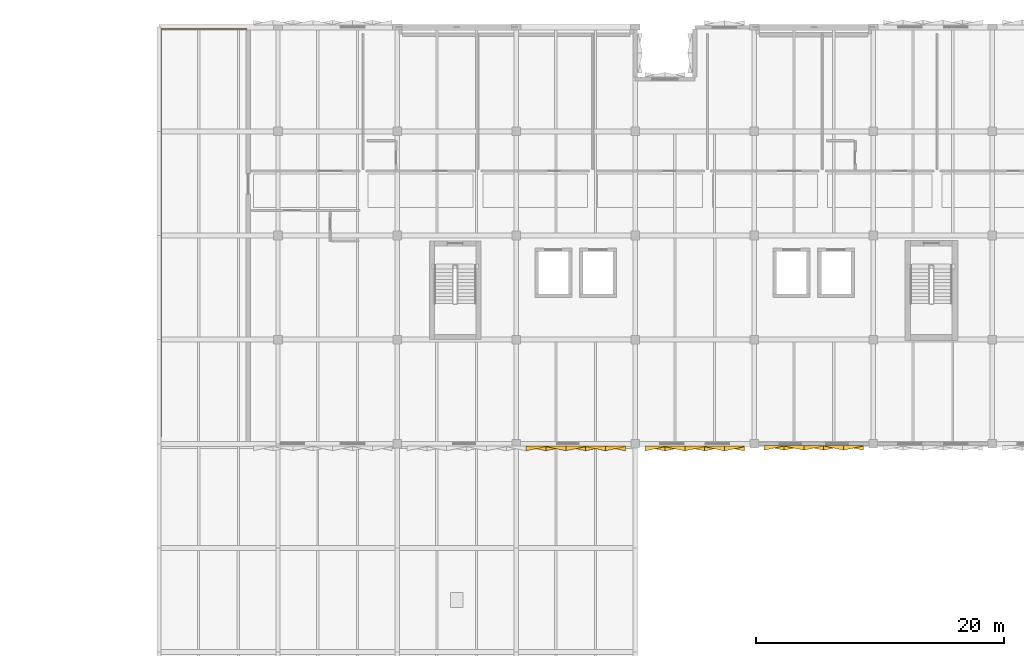
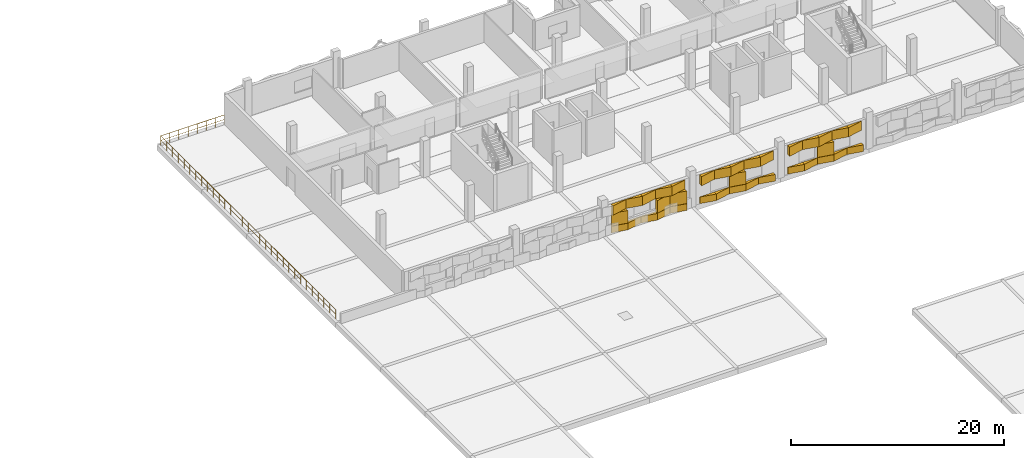
# One storey, part 21 of 24: 35 coverings, 1 railing.
"""IFC4 building model written with IfcOpenShell, lengths in metres."""

from ifc_helpers import new_model, si_unit, direction, frame, origin, origin_2d, place, context, subcontext, project, spatial, polyline, circle, outline, extrude, material, type_object, element, save


model = new_model("IFC4")

# Units and contexts
model_context = context("Model", 3, precision=1e-05, world=origin(), true_north=direction((0.0, 1.0)))
body_context = subcontext(model_context, "Body", "Model", "MODEL_VIEW")
ifc_project = project(units=[si_unit("LENGTHUNIT", "METRE"), si_unit("AREAUNIT", "SQUARE_METRE"), si_unit("VOLUMEUNIT", "CUBIC_METRE"), si_unit("PLANEANGLEUNIT", "RADIAN"), si_unit("MASSUNIT", "GRAM", prefix="KILO")], contexts=[model_context])

# Site, building, storey
site_placement = place(None, origin())
site = spatial("IfcSite", under=ifc_project, at=site_placement, CompositionType="ELEMENT")
building_placement = place(site_placement, origin())
building = spatial("IfcBuilding", under=site, at=building_placement, Name="Oolite Switchyard Hospital", CompositionType="ELEMENT")
storey_placement = place(building_placement, frame((0.0, 0.0, 22.0)))
storey = spatial("IfcBuildingStorey", under=building, at=storey_placement, Name="L05", CompositionType="ELEMENT", Elevation=22.0)

# Coverings
ifc_material_1 = material(Name="Precast oolitic limestone architectural concrete C40/50", Category="masonry")
covering_type = type_object("IfcCoveringType", Name="COV-CHEV-COOL", PredefinedType="CLADDING", material=ifc_material_1)
covering_1_placement = place(storey_placement, frame((172.0, 100.6201171875, 0.050048828125), z_axis=(0.0, 0.0, 1.0), x_axis=(-1.0, 0.0, 0.0)))
element("IfcCovering", 1, at=covering_1_placement, inside=storey, type_object=covering_type, Name="L05 Chevron Precast Oolite Panel 1116", PredefinedType="CLADDING", context=body_context, shape_type="SweptSolid", body=[
    extrude(outline(polyline([(0.0, 0.0), (1.60009765625, 0.0), (1.60009765625, 0.044921875), (0.0, 0.385009765625), (0.0, 0.0)])), origin(), (0.0, 0.0, 1.0), 0.760009765625),
])
covering_2_placement = place(storey_placement, frame((172.0, 100.6201171875, 2.2900390625), z_axis=(0.0, 0.0, 1.0), x_axis=(-1.0, 0.0, 0.0)))
element("IfcCovering", 2, at=covering_2_placement, inside=storey, type_object=covering_type, Name="L05 Chevron Precast Oolite Panel 1117", PredefinedType="CLADDING", context=body_context, shape_type="SweptSolid", body=[
    extrude(outline(polyline([(0.0, 0.0), (1.60009765625, 0.0), (1.60009765625, 0.385009765625), (0.0, 0.044921875), (0.0, 0.0)])), origin(), (0.0, 0.0, 1.0), 1.050048828125),
])
covering_3_placement = place(storey_placement, frame((172.0, 100.6201171875, 0.830078125), z_axis=(0.0, 0.0, 1.0), x_axis=(-1.0, 0.0, 0.0)))
element("IfcCovering", 3, at=covering_3_placement, inside=storey, type_object=covering_type, Name="L05 Chevron Precast Oolite Panel 1118", PredefinedType="CLADDING", context=body_context, shape_type="SweptSolid", body=[
    extrude(outline(polyline([(0.0, 0.0), (1.60009765625, 0.0), (1.60009765625, 0.044921875), (0.0, 0.385009765625), (0.0, 0.0)])), origin(), (0.0, 0.0, 1.0), 1.43994140625),
])
covering_4_placement = place(storey_placement, frame((170.39990234375, 100.6201171875, 0.050048828125), z_axis=(0.0, 0.0, 1.0), x_axis=(-1.0, 0.0, 0.0)))
element("IfcCovering", 4, at=covering_4_placement, inside=storey, type_object=covering_type, Name="L05 Chevron Precast Oolite Panel 1119", PredefinedType="CLADDING", context=body_context, shape_type="SweptSolid", body=[
    extrude(outline(polyline([(0.0, 0.0), (1.599853515625, 0.0), (1.599853515625, 0.385009765625), (0.0, 0.044921875), (0.0, 0.0)])), origin(), (0.0, 0.0, 1.0), 0.760009765625),
])
covering_5_placement = place(storey_placement, frame((170.39990234375, 100.6201171875, 2.2900390625), z_axis=(0.0, 0.0, 1.0), x_axis=(-1.0, 0.0, 0.0)))
element("IfcCovering", 5, at=covering_5_placement, inside=storey, type_object=covering_type, Name="L05 Chevron Precast Oolite Panel 1120", PredefinedType="CLADDING", context=body_context, shape_type="SweptSolid", body=[
    extrude(outline(polyline([(0.0, 0.0), (1.599853515625, 0.0), (1.599853515625, 0.044921875), (0.0, 0.385009765625), (0.0, 0.0)])), origin(), (0.0, 0.0, 1.0), 1.050048828125),
])
covering_6_placement = place(storey_placement, frame((170.39990234375, 100.6201171875, 0.830078125), z_axis=(0.0, 0.0, 1.0), x_axis=(-1.0, 0.0, 0.0)))
element("IfcCovering", 6, at=covering_6_placement, inside=storey, type_object=covering_type, Name="L05 Chevron Precast Oolite Panel 1121", PredefinedType="CLADDING", context=body_context, shape_type="SweptSolid", body=[
    extrude(outline(polyline([(0.0, 0.0), (1.599853515625, 0.0), (1.599853515625, 0.385009765625), (0.0, 0.044921875), (0.0, 0.0)])), origin(), (0.0, 0.0, 1.0), 1.43994140625),
])
covering_7_placement = place(storey_placement, frame((168.800048828125, 100.6201171875, 0.050048828125), z_axis=(0.0, 0.0, 1.0), x_axis=(-1.0, 0.0, 0.0)))
element("IfcCovering", 7, at=covering_7_placement, inside=storey, type_object=covering_type, Name="L05 Chevron Precast Oolite Panel 1122", PredefinedType="CLADDING", context=body_context, shape_type="SweptSolid", body=[
    extrude(outline(polyline([(0.0, 0.0), (1.60009765625, 0.0), (1.60009765625, 0.044921875), (0.0, 0.385009765625), (0.0, 0.0)])), origin(), (0.0, 0.0, 1.0), 0.760009765625),
])
covering_8_placement = place(storey_placement, frame((168.800048828125, 100.6201171875, 2.2900390625), z_axis=(0.0, 0.0, 1.0), x_axis=(-1.0, 0.0, 0.0)))
element("IfcCovering", 8, at=covering_8_placement, inside=storey, type_object=covering_type, Name="L05 Chevron Precast Oolite Panel 1123", PredefinedType="CLADDING", context=body_context, shape_type="SweptSolid", body=[
    extrude(outline(polyline([(0.0, 0.0), (1.60009765625, 0.0), (1.60009765625, 0.385009765625), (0.0, 0.044921875), (0.0, 0.0)])), origin(), (0.0, 0.0, 1.0), 1.050048828125),
])
covering_9_placement = place(storey_placement, frame((167.199951171875, 100.6201171875, 0.050048828125), z_axis=(0.0, 0.0, 1.0), x_axis=(-1.0, 0.0, 0.0)))
element("IfcCovering", 9, at=covering_9_placement, inside=storey, type_object=covering_type, Name="L05 Chevron Precast Oolite Panel 1124", PredefinedType="CLADDING", context=body_context, shape_type="SweptSolid", body=[
    extrude(outline(polyline([(0.0, 0.0), (1.599853515625, 0.0), (1.599853515625, 0.385009765625), (0.0, 0.044921875), (0.0, 0.0)])), origin(), (0.0, 0.0, 1.0), 0.760009765625),
])
covering_10_placement = place(storey_placement, frame((167.199951171875, 100.6201171875, 2.2900390625), z_axis=(0.0, 0.0, 1.0), x_axis=(-1.0, 0.0, 0.0)))
element("IfcCovering", 10, at=covering_10_placement, inside=storey, type_object=covering_type, Name="L05 Chevron Precast Oolite Panel 1125", PredefinedType="CLADDING", context=body_context, shape_type="SweptSolid", body=[
    extrude(outline(polyline([(0.0, 0.0), (1.599853515625, 0.0), (1.599853515625, 0.044921875), (0.0, 0.385009765625), (0.0, 0.0)])), origin(), (0.0, 0.0, 1.0), 1.050048828125),
])
covering_11_placement = place(storey_placement, frame((165.60009765625, 100.6201171875, 0.050048828125), z_axis=(0.0, 0.0, 1.0), x_axis=(-1.0, 0.0, 0.0)))
element("IfcCovering", 11, at=covering_11_placement, inside=storey, type_object=covering_type, Name="L05 Chevron Precast Oolite Panel 1126", PredefinedType="CLADDING", context=body_context, shape_type="SweptSolid", body=[
    extrude(outline(polyline([(0.0, 0.0), (1.60009765625, 0.0), (1.60009765625, 0.044921875), (0.0, 0.385009765625), (0.0, 0.0)])), origin(), (0.0, 0.0, 1.0), 0.760009765625),
])
covering_12_placement = place(storey_placement, frame((165.60009765625, 100.6201171875, 2.2900390625), z_axis=(0.0, 0.0, 1.0), x_axis=(-1.0, 0.0, 0.0)))
element("IfcCovering", 12, at=covering_12_placement, inside=storey, type_object=covering_type, Name="L05 Chevron Precast Oolite Panel 1127", PredefinedType="CLADDING", context=body_context, shape_type="SweptSolid", body=[
    extrude(outline(polyline([(0.0, 0.0), (1.60009765625, 0.0), (1.60009765625, 0.385009765625), (0.0, 0.044921875), (0.0, 0.0)])), origin(), (0.0, 0.0, 1.0), 1.050048828125),
])
covering_13_placement = place(storey_placement, frame((165.60009765625, 100.6201171875, 0.830078125), z_axis=(0.0, 0.0, 1.0), x_axis=(-1.0, 0.0, 0.0)))
element("IfcCovering", 13, at=covering_13_placement, inside=storey, type_object=covering_type, Name="L05 Chevron Precast Oolite Panel 1128", PredefinedType="CLADDING", context=body_context, shape_type="SweptSolid", body=[
    extrude(outline(polyline([(0.0, 0.0), (1.60009765625, 0.0), (1.60009765625, 0.044921875), (0.0, 0.385009765625), (0.0, 0.0)])), origin(), (0.0, 0.0, 1.0), 1.43994140625),
])
covering_14_placement = place(storey_placement, frame((181.60009765625, 100.610107421875, 0.050048828125), z_axis=(0.0, 0.0, 1.0), x_axis=(-1.0, 0.0, 0.0)))
element("IfcCovering", 14, at=covering_14_placement, inside=storey, type_object=covering_type, Name="L05 Chevron Precast Oolite Panel 1145", PredefinedType="CLADDING", context=body_context, shape_type="SweptSolid", body=[
    extrude(outline(polyline([(0.0, 0.0), (1.60009765625, 0.0), (1.60009765625, 0.044921875), (0.0, 0.385009765625), (0.0, 0.0)])), origin(), (0.0, 0.0, 1.0), 0.760009765625),
])
covering_15_placement = place(storey_placement, frame((181.60009765625, 100.610107421875, 2.2900390625), z_axis=(0.0, 0.0, 1.0), x_axis=(-1.0, 0.0, 0.0)))
element("IfcCovering", 15, at=covering_15_placement, inside=storey, type_object=covering_type, Name="L05 Chevron Precast Oolite Panel 1146", PredefinedType="CLADDING", context=body_context, shape_type="SweptSolid", body=[
    extrude(outline(polyline([(0.0, 0.0), (1.60009765625, 0.0), (1.60009765625, 0.385009765625), (0.0, 0.044921875), (0.0, 0.0)])), origin(), (0.0, 0.0, 1.0), 1.050048828125),
])
covering_16_placement = place(storey_placement, frame((180.0, 100.610107421875, 0.050048828125), z_axis=(0.0, 0.0, 1.0), x_axis=(-1.0, 0.0, 0.0)))
element("IfcCovering", 16, at=covering_16_placement, inside=storey, type_object=covering_type, Name="L05 Chevron Precast Oolite Panel 1147", PredefinedType="CLADDING", context=body_context, shape_type="SweptSolid", body=[
    extrude(outline(polyline([(0.0, 0.0), (1.60009765625, 0.0), (1.60009765625, 0.385009765625), (0.0, 0.044921875), (0.0, 0.0)])), origin(), (0.0, 0.0, 1.0), 0.760009765625),
])
covering_17_placement = place(storey_placement, frame((180.0, 100.610107421875, 2.2900390625), z_axis=(0.0, 0.0, 1.0), x_axis=(-1.0, 0.0, 0.0)))
element("IfcCovering", 17, at=covering_17_placement, inside=storey, type_object=covering_type, Name="L05 Chevron Precast Oolite Panel 1148", PredefinedType="CLADDING", context=body_context, shape_type="SweptSolid", body=[
    extrude(outline(polyline([(0.0, 0.0), (1.60009765625, 0.0), (1.60009765625, 0.044921875), (0.0, 0.385009765625), (0.0, 0.0)])), origin(), (0.0, 0.0, 1.0), 1.050048828125),
])
covering_18_placement = place(storey_placement, frame((178.39990234375, 100.610107421875, 0.050048828125), z_axis=(0.0, 0.0, 1.0), x_axis=(-1.0, 0.0, 0.0)))
element("IfcCovering", 18, at=covering_18_placement, inside=storey, type_object=covering_type, Name="L05 Chevron Precast Oolite Panel 1149", PredefinedType="CLADDING", context=body_context, shape_type="SweptSolid", body=[
    extrude(outline(polyline([(0.0, 0.0), (1.599853515625, 0.0), (1.599853515625, 0.044921875), (0.0, 0.385009765625), (0.0, 0.0)])), origin(), (0.0, 0.0, 1.0), 0.760009765625),
])
covering_19_placement = place(storey_placement, frame((178.39990234375, 100.610107421875, 2.2900390625), z_axis=(0.0, 0.0, 1.0), x_axis=(-1.0, 0.0, 0.0)))
element("IfcCovering", 19, at=covering_19_placement, inside=storey, type_object=covering_type, Name="L05 Chevron Precast Oolite Panel 1150", PredefinedType="CLADDING", context=body_context, shape_type="SweptSolid", body=[
    extrude(outline(polyline([(0.0, 0.0), (1.599853515625, 0.0), (1.599853515625, 0.385009765625), (0.0, 0.044921875), (0.0, 0.0)])), origin(), (0.0, 0.0, 1.0), 1.050048828125),
])
covering_20_placement = place(storey_placement, frame((178.39990234375, 100.610107421875, 0.830078125), z_axis=(0.0, 0.0, 1.0), x_axis=(-1.0, 0.0, 0.0)))
element("IfcCovering", 20, at=covering_20_placement, inside=storey, type_object=covering_type, Name="L05 Chevron Precast Oolite Panel 1151", PredefinedType="CLADDING", context=body_context, shape_type="SweptSolid", body=[
    extrude(outline(polyline([(0.0, 0.0), (1.599853515625, 0.0), (1.599853515625, 0.044921875), (0.0, 0.385009765625), (0.0, 0.0)])), origin(), (0.0, 0.0, 1.0), 1.43994140625),
])
covering_21_placement = place(storey_placement, frame((176.800048828125, 100.610107421875, 0.050048828125), z_axis=(0.0, 0.0, 1.0), x_axis=(-1.0, 0.0, 0.0)))
element("IfcCovering", 21, at=covering_21_placement, inside=storey, type_object=covering_type, Name="L05 Chevron Precast Oolite Panel 1152", PredefinedType="CLADDING", context=body_context, shape_type="SweptSolid", body=[
    extrude(outline(polyline([(0.0, 0.0), (1.60009765625, 0.0), (1.60009765625, 0.385009765625), (0.0, 0.044921875), (0.0, 0.0)])), origin(), (0.0, 0.0, 1.0), 0.760009765625),
])
covering_22_placement = place(storey_placement, frame((176.800048828125, 100.610107421875, 2.2900390625), z_axis=(0.0, 0.0, 1.0), x_axis=(-1.0, 0.0, 0.0)))
element("IfcCovering", 22, at=covering_22_placement, inside=storey, type_object=covering_type, Name="L05 Chevron Precast Oolite Panel 1153", PredefinedType="CLADDING", context=body_context, shape_type="SweptSolid", body=[
    extrude(outline(polyline([(0.0, 0.0), (1.60009765625, 0.0), (1.60009765625, 0.044921875), (0.0, 0.385009765625), (0.0, 0.0)])), origin(), (0.0, 0.0, 1.0), 1.050048828125),
])
covering_23_placement = place(storey_placement, frame((175.199951171875, 100.610107421875, 0.050048828125), z_axis=(0.0, 0.0, 1.0), x_axis=(-1.0, 0.0, 0.0)))
element("IfcCovering", 23, at=covering_23_placement, inside=storey, type_object=covering_type, Name="L05 Chevron Precast Oolite Panel 1154", PredefinedType="CLADDING", context=body_context, shape_type="SweptSolid", body=[
    extrude(outline(polyline([(0.0, 0.0), (1.599853515625, 0.0), (1.599853515625, 0.044921875), (0.0, 0.385009765625), (0.0, 0.0)])), origin(), (0.0, 0.0, 1.0), 0.760009765625),
])
covering_24_placement = place(storey_placement, frame((175.199951171875, 100.610107421875, 2.2900390625), z_axis=(0.0, 0.0, 1.0), x_axis=(-1.0, 0.0, 0.0)))
element("IfcCovering", 24, at=covering_24_placement, inside=storey, type_object=covering_type, Name="L05 Chevron Precast Oolite Panel 1155", PredefinedType="CLADDING", context=body_context, shape_type="SweptSolid", body=[
    extrude(outline(polyline([(0.0, 0.0), (1.599853515625, 0.0), (1.599853515625, 0.385009765625), (0.0, 0.044921875), (0.0, 0.0)])), origin(), (0.0, 0.0, 1.0), 1.050048828125),
])
covering_25_placement = place(storey_placement, frame((191.199951171875, 100.669921875, 0.050048828125), z_axis=(0.0, 0.0, 1.0), x_axis=(-1.0, 0.0, 0.0)))
element("IfcCovering", 25, at=covering_25_placement, inside=storey, type_object=covering_type, Name="L05 Chevron Precast Oolite Panel 1156", PredefinedType="CLADDING", context=body_context, shape_type="SweptSolid", body=[
    extrude(outline(polyline([(0.0, 0.0), (1.599853515625, 0.0), (1.599853515625, 0.044921875), (0.0, 0.385009765625), (0.0, 0.0)])), origin(), (0.0, 0.0, 1.0), 0.760009765625),
])
covering_26_placement = place(storey_placement, frame((191.199951171875, 100.669921875, 2.2900390625), z_axis=(0.0, 0.0, 1.0), x_axis=(-1.0, 0.0, 0.0)))
element("IfcCovering", 26, at=covering_26_placement, inside=storey, type_object=covering_type, Name="L05 Chevron Precast Oolite Panel 1157", PredefinedType="CLADDING", context=body_context, shape_type="SweptSolid", body=[
    extrude(outline(polyline([(0.0, 0.0), (1.599853515625, 0.0), (1.599853515625, 0.385009765625), (0.0, 0.044921875), (0.0, 0.0)])), origin(), (0.0, 0.0, 1.0), 1.050048828125),
])
covering_27_placement = place(storey_placement, frame((189.60009765625, 100.669921875, 0.050048828125), z_axis=(0.0, 0.0, 1.0), x_axis=(-1.0, 0.0, 0.0)))
element("IfcCovering", 27, at=covering_27_placement, inside=storey, type_object=covering_type, Name="L05 Chevron Precast Oolite Panel 1158", PredefinedType="CLADDING", context=body_context, shape_type="SweptSolid", body=[
    extrude(outline(polyline([(0.0, 0.0), (1.60009765625, 0.0), (1.60009765625, 0.385009765625), (0.0, 0.044921875), (0.0, 0.0)])), origin(), (0.0, 0.0, 1.0), 0.760009765625),
])
covering_28_placement = place(storey_placement, frame((189.60009765625, 100.669921875, 2.2900390625), z_axis=(0.0, 0.0, 1.0), x_axis=(-1.0, 0.0, 0.0)))
element("IfcCovering", 28, at=covering_28_placement, inside=storey, type_object=covering_type, Name="L05 Chevron Precast Oolite Panel 1159", PredefinedType="CLADDING", context=body_context, shape_type="SweptSolid", body=[
    extrude(outline(polyline([(0.0, 0.0), (1.60009765625, 0.0), (1.60009765625, 0.044921875), (0.0, 0.385009765625), (0.0, 0.0)])), origin(), (0.0, 0.0, 1.0), 1.050048828125),
])
covering_29_placement = place(storey_placement, frame((188.0, 100.669921875, 0.050048828125), z_axis=(0.0, 0.0, 1.0), x_axis=(-1.0, 0.0, 0.0)))
element("IfcCovering", 29, at=covering_29_placement, inside=storey, type_object=covering_type, Name="L05 Chevron Precast Oolite Panel 1160", PredefinedType="CLADDING", context=body_context, shape_type="SweptSolid", body=[
    extrude(outline(polyline([(0.0, 0.0), (1.60009765625, 0.0), (1.60009765625, 0.044921875), (0.0, 0.385009765625), (0.0, 0.0)])), origin(), (0.0, 0.0, 1.0), 0.760009765625),
])
covering_30_placement = place(storey_placement, frame((188.0, 100.669921875, 2.2900390625), z_axis=(0.0, 0.0, 1.0), x_axis=(-1.0, 0.0, 0.0)))
element("IfcCovering", 30, at=covering_30_placement, inside=storey, type_object=covering_type, Name="L05 Chevron Precast Oolite Panel 1161", PredefinedType="CLADDING", context=body_context, shape_type="SweptSolid", body=[
    extrude(outline(polyline([(0.0, 0.0), (1.60009765625, 0.0), (1.60009765625, 0.385009765625), (0.0, 0.044921875), (0.0, 0.0)])), origin(), (0.0, 0.0, 1.0), 1.050048828125),
])
covering_31_placement = place(storey_placement, frame((188.0, 100.669921875, 0.830078125), z_axis=(0.0, 0.0, 1.0), x_axis=(-1.0, 0.0, 0.0)))
element("IfcCovering", 31, at=covering_31_placement, inside=storey, type_object=covering_type, Name="L05 Chevron Precast Oolite Panel 1162", PredefinedType="CLADDING", context=body_context, shape_type="SweptSolid", body=[
    extrude(outline(polyline([(0.0, 0.0), (1.60009765625, 0.0), (1.60009765625, 0.044921875), (0.0, 0.385009765625), (0.0, 0.0)])), origin(), (0.0, 0.0, 1.0), 1.43994140625),
])
covering_32_placement = place(storey_placement, frame((186.39990234375, 100.669921875, 0.050048828125), z_axis=(0.0, 0.0, 1.0), x_axis=(-1.0, 0.0, 0.0)))
element("IfcCovering", 32, at=covering_32_placement, inside=storey, type_object=covering_type, Name="L05 Chevron Precast Oolite Panel 1163", PredefinedType="CLADDING", context=body_context, shape_type="SweptSolid", body=[
    extrude(outline(polyline([(0.0, 0.0), (1.599853515625, 0.0), (1.599853515625, 0.385009765625), (0.0, 0.044921875), (0.0, 0.0)])), origin(), (0.0, 0.0, 1.0), 0.760009765625),
])
covering_33_placement = place(storey_placement, frame((186.39990234375, 100.669921875, 2.2900390625), z_axis=(0.0, 0.0, 1.0), x_axis=(-1.0, 0.0, 0.0)))
element("IfcCovering", 33, at=covering_33_placement, inside=storey, type_object=covering_type, Name="L05 Chevron Precast Oolite Panel 1164", PredefinedType="CLADDING", context=body_context, shape_type="SweptSolid", body=[
    extrude(outline(polyline([(0.0, 0.0), (1.599853515625, 0.0), (1.599853515625, 0.044921875), (0.0, 0.385009765625), (0.0, 0.0)])), origin(), (0.0, 0.0, 1.0), 1.050048828125),
])
covering_34_placement = place(storey_placement, frame((184.800048828125, 100.669921875, 0.050048828125), z_axis=(0.0, 0.0, 1.0), x_axis=(-1.0, 0.0, 0.0)))
element("IfcCovering", 34, at=covering_34_placement, inside=storey, type_object=covering_type, Name="L05 Chevron Precast Oolite Panel 1165", PredefinedType="CLADDING", context=body_context, shape_type="SweptSolid", body=[
    extrude(outline(polyline([(0.0, 0.0), (1.60009765625, 0.0), (1.60009765625, 0.044921875), (0.0, 0.385009765625), (0.0, 0.0)])), origin(), (0.0, 0.0, 1.0), 0.760009765625),
])
covering_35_placement = place(storey_placement, frame((184.800048828125, 100.669921875, 2.2900390625), z_axis=(0.0, 0.0, 1.0), x_axis=(-1.0, 0.0, 0.0)))
element("IfcCovering", 35, at=covering_35_placement, inside=storey, type_object=covering_type, Name="L05 Chevron Precast Oolite Panel 1166", PredefinedType="CLADDING", context=body_context, shape_type="SweptSolid", body=[
    extrude(outline(polyline([(0.0, 0.0), (1.60009765625, 0.0), (1.60009765625, 0.385009765625), (0.0, 0.044921875), (0.0, 0.0)])), origin(), (0.0, 0.0, 1.0), 1.050048828125),
])

# Railing
ifc_material_2 = material(Name="Precast oolitic limestone classical balustrade", Category="masonry")
railing_type = type_object("IfcRailingType", Name="RL-BAL-110", PredefinedType="BALUSTRADE", material=ifc_material_2)
railing_placement = place(storey_placement, frame((134.550048828125, 101.39990234375, 0.0)))
element("IfcRailing", 36, at=railing_placement, inside=storey, type_object=railing_type, Name="L05 Terrace Perimeter Guard 9", PredefinedType="BALUSTRADE", context=body_context, shape_type="SweptSolid", body=[
    extrude(circle(Radius=0.02392578125, at=origin_2d()), frame((0.0, 0.0, 1.076171875), z_axis=(0.0, 1.0, 0.0), x_axis=(-1.0, 0.0, 0.0)), (0.0, 0.0, 1.0), 32.85009765625),
    extrude(circle(Radius=0.015625, at=origin_2d()), frame((0.0, 0.0, 0.550048828125), z_axis=(0.0, 1.0, 0.0), x_axis=(-1.0, 0.0, 0.0)), (0.0, 0.0, 1.0), 32.85009765625),
    extrude(circle(Radius=0.02392578125, at=origin_2d()), frame((0.0, 32.85009765625, 1.076171875), z_axis=(1.0, 0.0, 0.0), x_axis=(0.0, 1.0, 0.0)), (0.0, 0.0, 1.0), 6.89990234375),
    extrude(circle(Radius=0.015625, at=origin_2d()), frame((0.0, 32.85009765625, 0.550048828125), z_axis=(1.0, 0.0, 0.0), x_axis=(0.0, 1.0, 0.0)), (0.0, 0.0, 1.0), 6.89990234375),
    extrude(circle(Radius=0.02099609375, at=origin_2d()), origin(), (0.0, 0.0, 1.0), 1.052001953125),
    extrude(circle(Radius=0.02099609375, at=origin_2d()), frame((0.0, 1.094970703125, 0.0)), (0.0, 0.0, 1.0), 1.052001953125),
    extrude(circle(Radius=0.02099609375, at=origin_2d()), frame((0.0, 2.18994140625, 0.0)), (0.0, 0.0, 1.0), 1.052001953125),
    extrude(circle(Radius=0.02099609375, at=origin_2d()), frame((0.0, 3.284912109375, 0.0)), (0.0, 0.0, 1.0), 1.052001953125),
    extrude(circle(Radius=0.02099609375, at=origin_2d()), frame((0.0, 4.380126953125, 0.0)), (0.0, 0.0, 1.0), 1.052001953125),
    extrude(circle(Radius=0.02099609375, at=origin_2d()), frame((0.0, 5.47509765625, 0.0)), (0.0, 0.0, 1.0), 1.052001953125),
    extrude(circle(Radius=0.02099609375, at=origin_2d()), frame((0.0, 6.570068359375, 0.0)), (0.0, 0.0, 1.0), 1.052001953125),
    extrude(circle(Radius=0.02099609375, at=origin_2d()), frame((0.0, 7.6650390625, 0.0)), (0.0, 0.0, 1.0), 1.052001953125),
    extrude(circle(Radius=0.02099609375, at=origin_2d()), frame((0.0, 8.760009765625, 0.0)), (0.0, 0.0, 1.0), 1.052001953125),
    extrude(circle(Radius=0.02099609375, at=origin_2d()), frame((0.0, 9.85498046875, 0.0)), (0.0, 0.0, 1.0), 1.052001953125),
    extrude(circle(Radius=0.02099609375, at=origin_2d()), frame((0.0, 10.949951171875, 0.0)), (0.0, 0.0, 1.0), 1.052001953125),
    extrude(circle(Radius=0.02099609375, at=origin_2d()), frame((0.0, 12.044921875, 0.0)), (0.0, 0.0, 1.0), 1.052001953125),
    extrude(circle(Radius=0.02099609375, at=origin_2d()), frame((0.0, 13.14013671875, 0.0)), (0.0, 0.0, 1.0), 1.052001953125),
    extrude(circle(Radius=0.02099609375, at=origin_2d()), frame((0.0, 14.235107421875, 0.0)), (0.0, 0.0, 1.0), 1.052001953125),
    extrude(circle(Radius=0.02099609375, at=origin_2d()), frame((0.0, 15.330078125, 0.0)), (0.0, 0.0, 1.0), 1.052001953125),
    extrude(circle(Radius=0.02099609375, at=origin_2d()), frame((0.0, 16.425048828125, 0.0)), (0.0, 0.0, 1.0), 1.052001953125),
    extrude(circle(Radius=0.02099609375, at=origin_2d()), frame((0.0, 17.52001953125, 0.0)), (0.0, 0.0, 1.0), 1.052001953125),
    extrude(circle(Radius=0.02099609375, at=origin_2d()), frame((0.0, 18.614990234375, 0.0)), (0.0, 0.0, 1.0), 1.052001953125),
    extrude(circle(Radius=0.02099609375, at=origin_2d()), frame((0.0, 19.7099609375, 0.0)), (0.0, 0.0, 1.0), 1.052001953125),
    extrude(circle(Radius=0.02099609375, at=origin_2d()), frame((0.0, 20.80517578125, 0.0)), (0.0, 0.0, 1.0), 1.052001953125),
    extrude(circle(Radius=0.02099609375, at=origin_2d()), frame((0.0, 21.900146484375, 0.0)), (0.0, 0.0, 1.0), 1.052001953125),
    extrude(circle(Radius=0.02099609375, at=origin_2d()), frame((0.0, 22.9951171875, 0.0)), (0.0, 0.0, 1.0), 1.052001953125),
    extrude(circle(Radius=0.02099609375, at=origin_2d()), frame((0.0, 24.090087890625, 0.0)), (0.0, 0.0, 1.0), 1.052001953125),
    extrude(circle(Radius=0.02099609375, at=origin_2d()), frame((0.0, 25.18505859375, 0.0)), (0.0, 0.0, 1.0), 1.052001953125),
    extrude(circle(Radius=0.02099609375, at=origin_2d()), frame((0.0, 26.280029296875, 0.0)), (0.0, 0.0, 1.0), 1.052001953125),
    extrude(circle(Radius=0.02099609375, at=origin_2d()), frame((0.0, 27.375, 0.0)), (0.0, 0.0, 1.0), 1.052001953125),
    extrude(circle(Radius=0.02099609375, at=origin_2d()), frame((0.0, 28.469970703125, 0.0)), (0.0, 0.0, 1.0), 1.052001953125),
    extrude(circle(Radius=0.02099609375, at=origin_2d()), frame((0.0, 29.565185546875, 0.0)), (0.0, 0.0, 1.0), 1.052001953125),
    extrude(circle(Radius=0.02099609375, at=origin_2d()), frame((0.0, 30.66015625, 0.0)), (0.0, 0.0, 1.0), 1.052001953125),
    extrude(circle(Radius=0.02099609375, at=origin_2d()), frame((0.0, 31.755126953125, 0.0)), (0.0, 0.0, 1.0), 1.052001953125),
    extrude(circle(Radius=0.02099609375, at=origin_2d()), frame((0.0, 32.85009765625, 0.0)), (0.0, 0.0, 1.0), 1.052001953125),
    extrude(circle(Radius=0.02099609375, at=origin_2d()), frame((0.985595703125, 32.85009765625, 0.0)), (0.0, 0.0, 1.0), 1.052001953125),
    extrude(circle(Radius=0.02099609375, at=origin_2d()), frame((1.971435546875, 32.85009765625, 0.0)), (0.0, 0.0, 1.0), 1.052001953125),
    extrude(circle(Radius=0.02099609375, at=origin_2d()), frame((2.95703125, 32.85009765625, 0.0)), (0.0, 0.0, 1.0), 1.052001953125),
    extrude(circle(Radius=0.02099609375, at=origin_2d()), frame((3.94287109375, 32.85009765625, 0.0)), (0.0, 0.0, 1.0), 1.052001953125),
    extrude(circle(Radius=0.02099609375, at=origin_2d()), frame((4.928466796875, 32.85009765625, 0.0)), (0.0, 0.0, 1.0), 1.052001953125),
    extrude(circle(Radius=0.02099609375, at=origin_2d()), frame((5.914306640625, 32.85009765625, 0.0)), (0.0, 0.0, 1.0), 1.052001953125),
    extrude(circle(Radius=0.02099609375, at=origin_2d()), frame((6.89990234375, 32.85009765625, 0.0)), (0.0, 0.0, 1.0), 1.052001953125),
])

save(model, "model.ifc")
